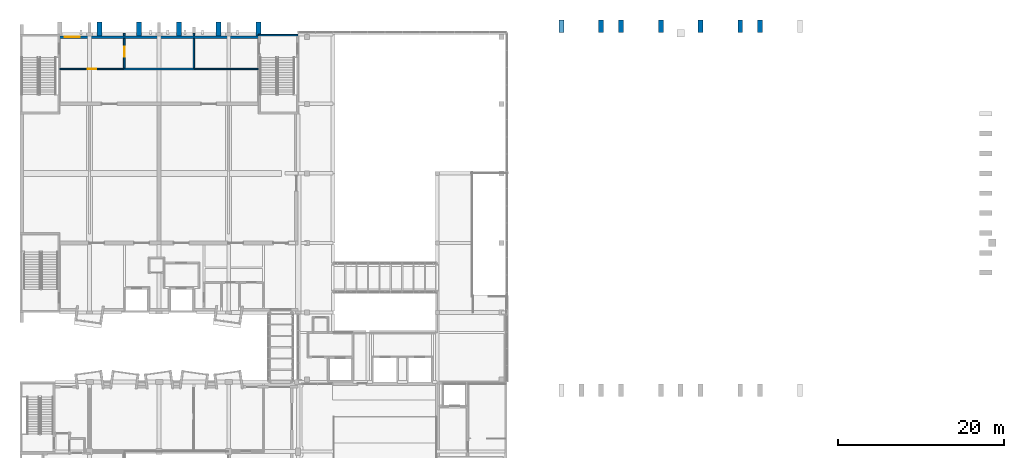
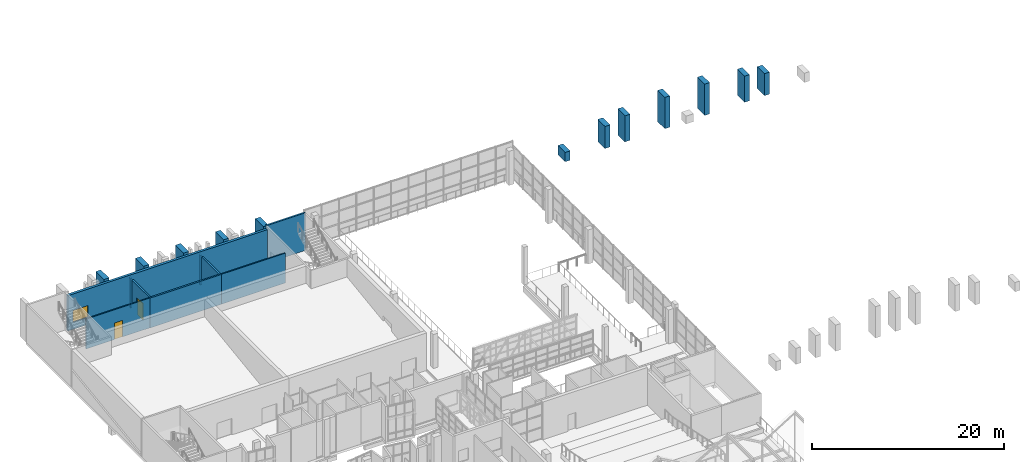
# One storey, part 48 of 67: 21 walls, 2 doors, 1 window, 3 openings.
"""IFC4 building model written with IfcOpenShell, lengths in metres."""

from ifc_helpers import new_model, si_unit, direction, frame, frame_2d, origin, place, context, subcontext, project, spatial, rectangle, extrude, material, layer, layer_set, type_object, element, fill, save


model = new_model("IFC4")

# Units and contexts
model_context = context("Model", 3, precision=1e-05, world=origin(), true_north=direction((0.0, 1.0)))
body_context = subcontext(model_context, "Body", "Model", "MODEL_VIEW")
ifc_project = project(units=[si_unit("LENGTHUNIT", "METRE"), si_unit("AREAUNIT", "SQUARE_METRE"), si_unit("VOLUMEUNIT", "CUBIC_METRE"), si_unit("PLANEANGLEUNIT", "RADIAN"), si_unit("MASSUNIT", "GRAM", prefix="KILO")], contexts=[model_context])

# Site, building, storey
site_placement = place(None, origin())
site = spatial("IfcSite", under=ifc_project, at=site_placement, CompositionType="ELEMENT")
building_placement = place(site_placement, origin())
building = spatial("IfcBuilding", under=site, at=building_placement, Name="Kiln Court Media Centre", CompositionType="ELEMENT")
storey_placement = place(building_placement, frame((0.0, 0.0, 19.800048828125)))
storey = spatial("IfcBuildingStorey", under=building, at=storey_placement, Name="L04", CompositionType="ELEMENT", Elevation=19.800048828125)

# Wall
ifc_material_1 = material(Name="Concrete block masonry M10", Category="masonry")
ifc_layer_1 = layer(ifc_material_1, 0.199951171875)
ifc_layer_set_1 = layer_set([ifc_layer_1], Name="Block plant room wall 200 EI 120")
wall_type_1 = type_object("IfcWallType", Name="Block plant room wall 200 EI 120", PredefinedType="SOLIDWALL", material=ifc_layer_set_1)
wall_1_placement = place(storey_placement, frame((12.5, 63.0, 0.0), z_axis=(0.0, 0.0, 1.0), x_axis=(1.0, 0.0, 0.0)))
element("IfcWall", 1, at=wall_1_placement, inside=storey, type_object=wall_type_1, Name="L04 block plant room wall", PredefinedType="SOLIDWALL", context=body_context, shape_type="SweptSolid", body=[
    extrude(rectangle(XDim=8.60009765625, YDim=0.199951171875, at=frame_2d((4.300048828125, 0.0))), origin(), (0.0, 0.0, 1.0), 3.800048828125),
])

# Wall, opening, door
wall_2_placement = place(storey_placement, frame((12.60009765625, 63.10009765625, 0.0), z_axis=(0.0, 0.0, 1.0), x_axis=(0.0, 1.0, 0.0)))
wall_2 = element("IfcWall", 2, at=wall_2_placement, inside=storey, type_object=wall_type_1, Name="L04 block plant room wall", PredefinedType="SOLIDWALL", context=body_context, shape_type="SweptSolid", body=[
    extrude(rectangle(XDim=3.599853515625, YDim=0.199951171875, at=frame_2d((1.7998046875, 0.0))), origin(), (0.0, 0.0, 1.0), 3.800048828125),
])
opening_1_placement = place(wall_2_placement, frame((1.39990234375, 0.0, 0.0)))
opening_1 = element("IfcOpeningElement", 3, at=opening_1_placement, cuts=wall_2, Name="Opening D4015", PredefinedType="OPENING", context=body_context, shape_type="SweptSolid", body=[
    extrude(rectangle(XDim=1.199951171875, YDim=2.10009765625, at=frame_2d((0.60009765625, 1.050048828125))), frame((0.0, 0.10986328125, 0.0), z_axis=(0.0, -1.0, 0.0), x_axis=(1.0, 0.0, 0.0)), (0.0, 0.0, 1.0), 0.219970703125),
])
ifc_material_2 = material(Name="Steel S275", Category="steel")
door_type_1 = type_object("IfcDoorType", Name="Steel plant door 1200 x 2100 FD180", OperationType="SINGLE_SWING_LEFT", PredefinedType="DOOR", material=ifc_material_2)
door_1_placement = place(opening_1_placement, origin())
door_1 = element("IfcDoor", 4, at=door_1_placement, inside=storey, type_object=door_type_1, Name="Cinema Staff Room / Cinema Plant Room", OperationType="SINGLE_SWING_LEFT", OverallHeight=2.10009765625, OverallWidth=1.199951171875, PredefinedType="DOOR", context=body_context, shape_type="SweptSolid", body=[
    extrude(rectangle(XDim=1.199951171875, YDim=2.10009765625, at=frame_2d((0.60009765625, 1.050048828125))), frame((0.0, 0.02490234375, 0.0), z_axis=(0.0, -1.0, 0.0), x_axis=(1.0, 0.0, 0.0)), (0.0, 0.0, 1.0), 0.050048828125),
])
fill(opening_1, door_1)

# Walls
wall_3_placement = place(storey_placement, frame((12.60009765625, 67.0, 0.0), z_axis=(0.0, 0.0, 1.0), x_axis=(0.0, 1.0, 0.0)))
element("IfcWall", 5, at=wall_3_placement, inside=storey, type_object=wall_type_1, Name="L04 block plant room wall", PredefinedType="SOLIDWALL", context=body_context, shape_type="SweptSolid", body=[
    extrude(rectangle(XDim=0.300048828125, YDim=0.199951171875, at=frame_2d((0.14990234375, 0.0))), origin(), (0.0, 0.0, 1.0), 3.800048828125),
])
wall_4_placement = place(storey_placement, frame((21.0, 63.10009765625, 0.0), z_axis=(0.0, 0.0, 1.0), x_axis=(0.0, 1.0, 0.0)))
element("IfcWall", 6, at=wall_4_placement, inside=storey, type_object=wall_type_1, Name="L04 block plant room wall", PredefinedType="SOLIDWALL", context=body_context, shape_type="SweptSolid", body=[
    extrude(rectangle(XDim=3.599853515625, YDim=0.199951171875, at=frame_2d((1.7998046875, 0.0))), origin(), (0.0, 0.0, 1.0), 3.800048828125),
])
wall_5_placement = place(storey_placement, frame((21.0, 67.0, 0.0), z_axis=(0.0, 0.0, 1.0), x_axis=(0.0, 1.0, 0.0)))
element("IfcWall", 7, at=wall_5_placement, inside=storey, type_object=wall_type_1, Name="L04 block plant room wall", PredefinedType="SOLIDWALL", context=body_context, shape_type="SweptSolid", body=[
    extrude(rectangle(XDim=0.300048828125, YDim=0.199951171875, at=frame_2d((0.14990234375, 0.0))), origin(), (0.0, 0.0, 1.0), 3.800048828125),
])

# Wall, opening, window
ifc_material_3 = material(Name="Concrete C40/50", Category="concrete")
ifc_layer_2 = layer(ifc_material_3, 0.300048828125)
ifc_layer_set_2 = layer_set([ifc_layer_2], Name="Concrete C40/50 board-marked facade wall 300")
wall_type_2 = type_object("IfcWallType", Name="Concrete C40/50 board-marked facade wall 300", PredefinedType="SOLIDWALL", material=ifc_layer_set_2)
wall_6_placement = place(storey_placement, frame((4.800048828125, 66.85009765625, 0.0), z_axis=(0.0, 0.0, 1.0), x_axis=(1.0, 0.0, 0.0)))
wall_6 = element("IfcWall", 8, at=wall_6_placement, inside=storey, type_object=wall_type_2, Name="V4 N facade wall 4005", PredefinedType="SOLIDWALL", context=body_context, shape_type="SweptSolid", body=[
    extrude(rectangle(XDim=24.0, YDim=0.300048828125, at=frame_2d((12.0, 0.0))), origin(), (0.0, 0.0, 1.0), 4.5),
])
opening_2_placement = place(wall_6_placement, frame((0.60009765625, 0.0, 0.89990234375)))
opening_2 = element("IfcOpeningElement", 9, at=opening_2_placement, cuts=wall_6, Name="Opening WN4501", PredefinedType="OPENING", context=body_context, shape_type="SweptSolid", body=[
    extrude(rectangle(XDim=1.800048828125, YDim=1.5, at=frame_2d((0.89990234375, 0.75))), frame((0.0, 0.159912109375, 0.0), z_axis=(0.0, -1.0, 0.0), x_axis=(1.0, 0.0, 0.0)), (0.0, 0.0, 1.0), 0.320068359375),
])
ifc_material_4 = material(Name="Aluminium 6063-T6", Category="aluminium")
window_type = type_object("IfcWindowType", Name="Aluminium lobby window 1800x1500", PartitioningType="DOUBLE_PANEL_VERTICAL", PredefinedType="WINDOW", material=ifc_material_4)
window_placement = place(opening_2_placement, origin())
window = element("IfcWindow", 10, at=window_placement, inside=storey, type_object=window_type, Name="V4 N meeting window", OverallHeight=1.5, OverallWidth=1.800048828125, PartitioningType="SINGLE_PANEL", PredefinedType="WINDOW", context=body_context, shape_type="SweptSolid", body=[
    extrude(rectangle(XDim=1.800048828125, YDim=1.5, at=frame_2d((0.89990234375, 0.75))), frame((0.0, 0.030029296875, 0.0), z_axis=(0.0, -1.0, 0.0), x_axis=(1.0, 0.0, 0.0)), (0.0, 0.0, 1.0), 0.06005859375),
])
fill(opening_2, window)

# Walls
ifc_material_5 = material(Name="Concrete C40/50", Category="concrete")
ifc_layer_3 = layer(ifc_material_5, 0.60009765625)
ifc_layer_set_3 = layer_set([ifc_layer_3], Name="Concrete C40/50 cast rib 600x1500")
wall_type_3 = type_object("IfcWallType", Name="Concrete C40/50 cast rib 600x1500", PredefinedType="SOLIDWALL", material=ifc_layer_set_3)
wall_7_placement = place(storey_placement, frame((65.39990234375, 67.42626953125, 0.0), z_axis=(0.0, 0.0, 1.0), x_axis=(0.0, 1.0, 0.0)))
element("IfcWall", 11, at=wall_7_placement, inside=storey, type_object=wall_type_3, Name="V1 N gable rib", PredefinedType="SOLIDWALL", context=body_context, shape_type="SweptSolid", body=[
    extrude(rectangle(XDim=1.5, YDim=0.60009765625, at=frame_2d((0.75, 0.0))), origin(), (0.0, 0.0, 1.0), 1.179931640625),
])
wall_8_placement = place(storey_placement, frame((70.199951171875, 67.42626953125, 0.0), z_axis=(0.0, 0.0, 1.0), x_axis=(0.0, 1.0, 0.0)))
element("IfcWall", 12, at=wall_8_placement, inside=storey, type_object=wall_type_3, Name="V1 N gable rib", PredefinedType="SOLIDWALL", context=body_context, shape_type="SweptSolid", body=[
    extrude(rectangle(XDim=1.5, YDim=0.60009765625, at=frame_2d((0.75, 0.0))), origin(), (0.0, 0.0, 1.0), 2.80859375),
])
wall_9_placement = place(storey_placement, frame((72.60009765625, 67.42626953125, 0.0), z_axis=(0.0, 0.0, 1.0), x_axis=(0.0, 1.0, 0.0)))
element("IfcWall", 13, at=wall_9_placement, inside=storey, type_object=wall_type_3, Name="V1 N gable rib", PredefinedType="SOLIDWALL", context=body_context, shape_type="SweptSolid", body=[
    extrude(rectangle(XDim=1.5, YDim=0.60009765625, at=frame_2d((0.75, 0.0))), origin(), (0.0, 0.0, 1.0), 3.32275390625),
])
for number, where, z_axis, x_axis, name in (
    (14, (77.39990234375, 67.42626953125, 0.0), (0.0, 0.0, 1.0), (0.0, 1.0, 0.0), "V1 N gable rib"),
    (15, (82.199951171875, 67.42626953125, 0.0), (0.0, 0.0, 1.0), (0.0, 1.0, 0.0), "V1 N gable rib"),
):
    element("IfcWall", number, at=place(storey_placement, frame(where, z_axis=z_axis, x_axis=x_axis)), inside=storey, type_object=wall_type_3, Name=name, PredefinedType="SOLIDWALL", context=body_context, shape_type="SweptSolid", body=[
        extrude(rectangle(XDim=1.5, YDim=0.60009765625, at=frame_2d((0.75, 0.0))), origin(), (0.0, 0.0, 1.0), 3.987060546875),
    ])
wall_10_placement = place(storey_placement, frame((87.0, 67.42626953125, 0.0), z_axis=(0.0, 0.0, 1.0), x_axis=(0.0, 1.0, 0.0)))
element("IfcWall", 16, at=wall_10_placement, inside=storey, type_object=wall_type_3, Name="V1 N gable rib", PredefinedType="SOLIDWALL", context=body_context, shape_type="SweptSolid", body=[
    extrude(rectangle(XDim=1.5, YDim=0.60009765625, at=frame_2d((0.75, 0.0))), origin(), (0.0, 0.0, 1.0), 3.32275390625),
])
wall_11_placement = place(storey_placement, frame((89.39990234375, 67.42626953125, 0.0), z_axis=(0.0, 0.0, 1.0), x_axis=(0.0, 1.0, 0.0)))
element("IfcWall", 17, at=wall_11_placement, inside=storey, type_object=wall_type_3, Name="V1 N gable rib", PredefinedType="SOLIDWALL", context=body_context, shape_type="SweptSolid", body=[
    extrude(rectangle(XDim=1.5, YDim=0.60009765625, at=frame_2d((0.75, 0.0))), origin(), (0.0, 0.0, 1.0), 2.80859375),
])
for number, where, z_axis, x_axis, name in (
    (18, (9.60009765625, 67.0, 0.0), (0.0, 0.0, 1.0), (0.0, 1.0, 0.0), "V4 N cast rib 2"),
    (19, (14.39990234375, 67.0, 0.0), (0.0, 0.0, 1.0), (0.0, 1.0, 0.0), "V4 N cast rib 3"),
    (20, (19.199951171875, 67.0, 0.0), (0.0, 0.0, 1.0), (0.0, 1.0, 0.0), "V4 N cast rib 4"),
    (21, (24.0, 67.0, 0.0), (0.0, 0.0, 1.0), (0.0, 1.0, 0.0), "V4 N cast rib 5"),
    (22, (28.800048828125, 67.0, 0.0), (0.0, 0.0, 1.0), (0.0, 1.0, 0.0), "V4 N cast rib 6"),
):
    element("IfcWall", number, at=place(storey_placement, frame(where, z_axis=z_axis, x_axis=x_axis)), inside=storey, type_object=wall_type_3, Name=name, PredefinedType="SOLIDWALL", context=body_context, shape_type="SweptSolid", body=[
        extrude(rectangle(XDim=1.699951171875, YDim=0.60009765625, at=frame_2d((0.85009765625, 0.0))), origin(), (0.0, 0.0, 1.0), 4.800048828125),
    ])
ifc_material_6 = material(Name="Concrete C40/50", Category="concrete")
ifc_layer_4 = layer(ifc_material_6, 0.199951171875)
ifc_layer_set_4 = layer_set([ifc_layer_4], Name="Concrete C40/50 shear wall 200")
wall_type_4 = type_object("IfcWallType", Name="Concrete C40/50 shear wall 200", PredefinedType="SHEAR", material=ifc_layer_set_4)
wall_12_placement = place(storey_placement, frame((28.800048828125, 67.10009765625, 0.0), z_axis=(0.0, 0.0, 1.0), x_axis=(1.0, 0.0, 0.0)))
element("IfcWall", 23, at=wall_12_placement, inside=storey, type_object=wall_type_4, Name="L04-W-1025", PredefinedType="SHEAR", context=body_context, shape_type="SweptSolid", body=[
    extrude(rectangle(XDim=4.800048828125, YDim=0.199951171875, at=frame_2d((2.39990234375, 0.0))), origin(), (0.0, 0.0, 1.0), 4.800048828125),
])

# Wall, opening, door
ifc_material_7 = material(Name="Gypsum plasterboard", Category="gypsum")
ifc_layer_5 = layer(ifc_material_7, 0.14990234375)
ifc_layer_set_5 = layer_set([ifc_layer_5], Name="Gypsum corridor partition 150 EI 60")
wall_type_5 = type_object("IfcWallType", Name="Gypsum corridor partition 150 EI 60", PredefinedType="PARTITIONING", material=ifc_layer_set_5)
wall_13_placement = place(storey_placement, frame((4.800048828125, 63.0, 0.0), z_axis=(0.0, 0.0, 1.0), x_axis=(1.0, 0.0, 0.0)))
wall_13 = element("IfcWall", 24, at=wall_13_placement, inside=storey, type_object=wall_type_5, Name="L04 gypsum corridor partition", PredefinedType="PARTITIONING", context=body_context, shape_type="SweptSolid", body=[
    extrude(rectangle(XDim=7.699951171875, YDim=0.14990234375, at=frame_2d((3.85009765625, 0.0))), origin(), (0.0, 0.0, 1.0), 3.800048828125),
])
opening_3_placement = place(wall_13_placement, frame((3.39990234375, 0.0, 0.0)))
opening_3 = element("IfcOpeningElement", 25, at=opening_3_placement, cuts=wall_13, Name="Opening D4014", PredefinedType="OPENING", context=body_context, shape_type="SweptSolid", body=[
    extrude(rectangle(XDim=1.0, YDim=2.10009765625, at=frame_2d((0.5, 1.050048828125))), frame((0.0, 0.0849609375, 0.0), z_axis=(0.0, -1.0, 0.0), x_axis=(1.0, 0.0, 0.0)), (0.0, 0.0, 1.0), 0.169921875),
])
ifc_material_8 = material(Name="Steel S275", Category="steel")
door_type_2 = type_object("IfcDoorType", Name="Steel corridor door 1000 x 2100 FD30S", OperationType="SINGLE_SWING_LEFT", PredefinedType="DOOR", material=ifc_material_8)
door_2_placement = place(opening_3_placement, origin())
door_2 = element("IfcDoor", 26, at=door_2_placement, inside=storey, type_object=door_type_2, Name="Rear Exit Lobby / Cinema Staff Room", OperationType="SINGLE_SWING_LEFT", OverallHeight=2.10009765625, OverallWidth=1.0, PredefinedType="DOOR", context=body_context, shape_type="SweptSolid", body=[
    extrude(rectangle(XDim=1.0, YDim=2.10009765625, at=frame_2d((0.5, 1.050048828125))), frame((0.0, 0.02490234375, 0.0), z_axis=(0.0, -1.0, 0.0), x_axis=(1.0, 0.0, 0.0)), (0.0, 0.0, 1.0), 0.050048828125),
])
fill(opening_3, door_2)

# Wall
wall_14_placement = place(storey_placement, frame((21.10009765625, 63.0, 0.0), z_axis=(0.0, 0.0, 1.0), x_axis=(1.0, 0.0, 0.0)))
element("IfcWall", 27, at=wall_14_placement, inside=storey, type_object=wall_type_5, Name="L04 gypsum corridor partition", PredefinedType="PARTITIONING", context=body_context, shape_type="SweptSolid", body=[
    extrude(rectangle(XDim=7.69970703125, YDim=0.14990234375, at=frame_2d((3.849853515625, 0.0))), origin(), (0.0, 0.0, 1.0), 3.800048828125),
])

save(model, "model.ifc")
